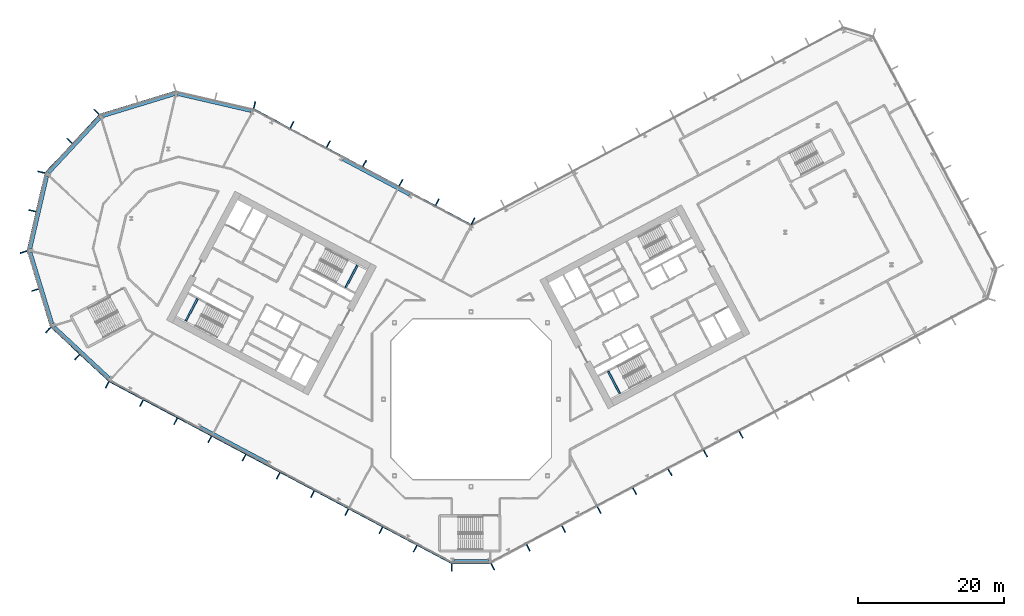
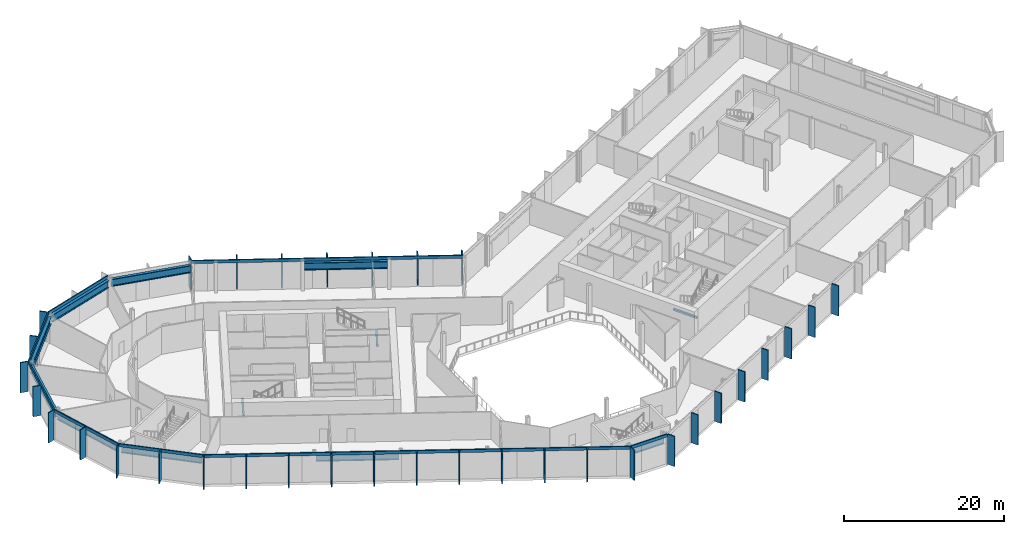
# One storey, part 7 of 30: 42 members, 12 beams, 10 elements without a shape of their own.
"""IFC4 building model written with IfcOpenShell, lengths in metres."""

from ifc_helpers import new_model, si_unit, direction, frame, origin, origin_2d, place, context, subcontext, project, spatial, rectangle, i_section, extrude, material, layer, layer_set, material_profile, profile_set, type_object, element, aggregate, save


model = new_model("IFC4")

# Units and contexts
model_context = context("Model", 3, precision=1e-05, world=origin(), true_north=direction((0.0, 1.0)))
body_context = subcontext(model_context, "Body", "Model", "MODEL_VIEW")
ifc_project = project(units=[si_unit("LENGTHUNIT", "METRE"), si_unit("AREAUNIT", "SQUARE_METRE"), si_unit("VOLUMEUNIT", "CUBIC_METRE"), si_unit("PLANEANGLEUNIT", "RADIAN"), si_unit("MASSUNIT", "GRAM", prefix="KILO")], contexts=[model_context])

# Site, building, storey
site_placement = place(None, origin())
site = spatial("IfcSite", under=ifc_project, at=site_placement, CompositionType="ELEMENT")
building_placement = place(site_placement, origin())
building = spatial("IfcBuilding", under=site, at=building_placement, Name="Cormorant Relay Tower", CompositionType="ELEMENT")
storey_placement = place(building_placement, frame((0.0, 0.0, 80.0)))
storey = spatial("IfcBuildingStorey", under=building, at=storey_placement, Name="L15", CompositionType="ELEMENT", Elevation=80.0)

# Curtain wall, member
ifc_material_1 = material(Name="Aluminium 6063-T6 anodised bronze", Category="aluminium")
ifc_layer = layer(ifc_material_1, 0.199951171875)
ifc_layer_set = layer_set([ifc_layer], Name="CW1 unitised bronze curtain wall with vertical fins")
curtain_wall_type = type_object("IfcCurtainWallType", Name="CW1 unitised bronze curtain wall with vertical fins", PredefinedType="NOTDEFINED", material=ifc_layer_set)
curtain_wall_1_placement = place(storey_placement, origin())
curtain_wall_1 = element("IfcCurtainWall", 1, at=curtain_wall_1_placement, inside=storey, type_object=curtain_wall_type, Name="CW1 curtain wall 1", PredefinedType="NOTDEFINED")
ifc_material_2 = material(Name="Aluminium 6063-T6 anodised bronze", Category="aluminium")
ifc_material_profile_1 = material_profile(ifc_material_2, rectangle(XDim=0.14990234375, YDim=1.0, at=origin_2d()), Name="AL 150x1000")
ifc_profile_set_1 = profile_set([ifc_material_profile_1], Name="Aluminium 6063-T6 anodised bronze")
member_type_1 = type_object("IfcMemberType", Name="CW1 bronze fin mullion 150 x 1000", PredefinedType="MULLION", material=ifc_profile_set_1)
member_1_placement = place(storey_placement, frame((-2.648681640625, -23.07568359375, 0.0), z_axis=(0.0, 0.0, 1.0), x_axis=(1.0, 0.0, 0.0)))
member_1 = element("IfcMember", 2, at=member_1_placement, type_object=member_type_1, Name="CW1 fin 1.1", PredefinedType="MULLION", context=body_context, shape_type="SweptSolid", body=[
    extrude(rectangle(XDim=0.14990234375, YDim=1.0, at=origin_2d()), origin(), (0.0, 0.0, 1.0), 4.60009765625),
])

# Curtain wall, members
curtain_wall_2_placement = place(storey_placement, origin())
curtain_wall_2 = element("IfcCurtainWall", 3, at=curtain_wall_2_placement, inside=storey, type_object=curtain_wall_type, Name="CW1 curtain wall 2", PredefinedType="NOTDEFINED")
member_2_placement = place(storey_placement, frame((2.9775390625, -22.99365234375, 0.0), z_axis=(0.0, 0.0, 1.0), x_axis=(0.882947592859, 0.469471562786, 0.0)))
member_2 = element("IfcMember", 4, at=member_2_placement, type_object=member_type_1, Name="CW1 fin 2.1", PredefinedType="MULLION", context=body_context, shape_type="SweptSolid", body=[
    extrude(rectangle(XDim=0.14990234375, YDim=1.0, at=origin_2d()), origin(), (0.0, 0.0, 1.0), 4.60009765625),
])
member_3_placement = place(storey_placement, frame((7.843994140625, -20.406005859375, 0.0), z_axis=(0.0, 0.0, 1.0), x_axis=(0.882947592859, 0.469471562786, 0.0)))
member_3 = element("IfcMember", 5, at=member_3_placement, type_object=member_type_1, Name="CW1 fin 2.2", PredefinedType="MULLION", context=body_context, shape_type="SweptSolid", body=[
    extrude(rectangle(XDim=0.14990234375, YDim=1.0, at=origin_2d()), origin(), (0.0, 0.0, 1.0), 4.60009765625),
])
member_4_placement = place(storey_placement, frame((12.710693359375, -17.818359375, 0.0), z_axis=(0.0, 0.0, 1.0), x_axis=(0.882947592859, 0.469471562786, 0.0)))
member_4 = element("IfcMember", 6, at=member_4_placement, type_object=member_type_1, Name="CW1 fin 2.3", PredefinedType="MULLION", context=body_context, shape_type="SweptSolid", body=[
    extrude(rectangle(XDim=0.14990234375, YDim=1.0, at=origin_2d()), origin(), (0.0, 0.0, 1.0), 4.60009765625),
])
member_5_placement = place(storey_placement, frame((17.577392578125, -15.230712890625, 0.0), z_axis=(0.0, 0.0, 1.0), x_axis=(0.882947592859, 0.469471562786, 0.0)))
member_5 = element("IfcMember", 7, at=member_5_placement, type_object=member_type_1, Name="CW1 fin 2.4", PredefinedType="MULLION", context=body_context, shape_type="SweptSolid", body=[
    extrude(rectangle(XDim=0.14990234375, YDim=1.0, at=origin_2d()), origin(), (0.0, 0.0, 1.0), 4.60009765625),
])
member_6_placement = place(storey_placement, frame((22.444091796875, -12.64306640625, 0.0), z_axis=(0.0, 0.0, 1.0), x_axis=(0.882947592859, 0.469471562786, 0.0)))
member_6 = element("IfcMember", 8, at=member_6_placement, type_object=member_type_1, Name="CW1 fin 2.5", PredefinedType="MULLION", context=body_context, shape_type="SweptSolid", body=[
    extrude(rectangle(XDim=0.14990234375, YDim=1.0, at=origin_2d()), origin(), (0.0, 0.0, 1.0), 4.60009765625),
])
member_7_placement = place(storey_placement, frame((27.310791015625, -10.055419921875, 0.0), z_axis=(0.0, 0.0, 1.0), x_axis=(0.882947592859, 0.469471562786, 0.0)))
member_7 = element("IfcMember", 9, at=member_7_placement, type_object=member_type_1, Name="CW1 fin 2.6", PredefinedType="MULLION", context=body_context, shape_type="SweptSolid", body=[
    extrude(rectangle(XDim=0.14990234375, YDim=1.0, at=origin_2d()), origin(), (0.0, 0.0, 1.0), 4.60009765625),
])
member_8_placement = place(storey_placement, frame((32.177490234375, -7.4677734375, 0.0), z_axis=(0.0, 0.0, 1.0), x_axis=(0.882947592859, 0.469471562786, 0.0)))
member_8 = element("IfcMember", 10, at=member_8_placement, type_object=member_type_1, Name="CW1 fin 2.7", PredefinedType="MULLION", context=body_context, shape_type="SweptSolid", body=[
    extrude(rectangle(XDim=0.14990234375, YDim=1.0, at=origin_2d()), origin(), (0.0, 0.0, 1.0), 4.60009765625),
])
member_9_placement = place(storey_placement, frame((37.044189453125, -4.8798828125, 0.0), z_axis=(0.0, 0.0, 1.0), x_axis=(0.882947592859, 0.469471562786, 0.0)))
member_9 = element("IfcMember", 11, at=member_9_placement, type_object=member_type_1, Name="CW1 fin 2.8", PredefinedType="MULLION", context=body_context, shape_type="SweptSolid", body=[
    extrude(rectangle(XDim=0.14990234375, YDim=1.0, at=origin_2d()), origin(), (0.0, 0.0, 1.0), 4.60009765625),
])
aggregate(curtain_wall_2, [member_2, member_3, member_4, member_5, member_6, member_7, member_8, member_9])

curtain_wall_3_placement = place(storey_placement, origin())
curtain_wall_3 = element("IfcCurtainWall", 12, at=curtain_wall_3_placement, inside=storey, type_object=curtain_wall_type, Name="CW1 curtain wall 7", PredefinedType="NOTDEFINED")
member_10_placement = place(storey_placement, frame((0.262451171875, 24.437255859375, 0.0), z_axis=(0.0, 0.0, 1.0), x_axis=(-0.882947592859, 0.469471562786, 0.0)))
member_10 = element("IfcMember", 13, at=member_10_placement, type_object=member_type_1, Name="CW1 fin 7.1", PredefinedType="MULLION", context=body_context, shape_type="SweptSolid", body=[
    extrude(rectangle(XDim=0.14990234375, YDim=1.0, at=origin_2d()), origin(), (0.0, 0.0, 1.0), 4.60009765625),
])
member_11_placement = place(storey_placement, frame((-4.650390625, 27.04931640625, 0.0), z_axis=(0.0, 0.0, 1.0), x_axis=(-0.882947592859, 0.469471562786, 0.0)))
member_11 = element("IfcMember", 14, at=member_11_placement, type_object=member_type_1, Name="CW1 fin 7.2", PredefinedType="MULLION", context=body_context, shape_type="SweptSolid", body=[
    extrude(rectangle(XDim=0.14990234375, YDim=1.0, at=origin_2d()), origin(), (0.0, 0.0, 1.0), 4.60009765625),
])
member_12_placement = place(storey_placement, frame((-9.62939453125, 29.69677734375, 0.0), z_axis=(0.0, 0.0, 1.0), x_axis=(-0.882947592859, 0.469471562786, 0.0)))
member_12 = element("IfcMember", 15, at=member_12_placement, type_object=member_type_1, Name="CW1 fin 7.3", PredefinedType="MULLION", context=body_context, shape_type="SweptSolid", body=[
    extrude(rectangle(XDim=0.14990234375, YDim=1.0, at=origin_2d()), origin(), (0.0, 0.0, 1.0), 4.60009765625),
])
member_13_placement = place(storey_placement, frame((-14.608154296875, 32.343994140625, 0.0), z_axis=(0.0, 0.0, 1.0), x_axis=(-0.882947592859, 0.469471562786, 0.0)))
member_13 = element("IfcMember", 16, at=member_13_placement, type_object=member_type_1, Name="CW1 fin 7.4", PredefinedType="MULLION", context=body_context, shape_type="SweptSolid", body=[
    extrude(rectangle(XDim=0.14990234375, YDim=1.0, at=origin_2d()), origin(), (0.0, 0.0, 1.0), 4.60009765625),
])
member_14_placement = place(storey_placement, frame((-19.587158203125, 34.991455078125, 0.0), z_axis=(0.0, 0.0, 1.0), x_axis=(-0.882947592859, 0.469471562786, 0.0)))
member_14 = element("IfcMember", 17, at=member_14_placement, type_object=member_type_1, Name="CW1 fin 7.5", PredefinedType="MULLION", context=body_context, shape_type="SweptSolid", body=[
    extrude(rectangle(XDim=0.14990234375, YDim=1.0, at=origin_2d()), origin(), (0.0, 0.0, 1.0), 4.60009765625),
])
member_15_placement = place(storey_placement, frame((-24.566162109375, 37.638916015625, 0.0), z_axis=(0.0, 0.0, 1.0), x_axis=(-0.882947592859, 0.469471562786, 0.0)))
member_15 = element("IfcMember", 18, at=member_15_placement, type_object=member_type_1, Name="CW1 fin 7.6", PredefinedType="MULLION", context=body_context, shape_type="SweptSolid", body=[
    extrude(rectangle(XDim=0.14990234375, YDim=1.0, at=origin_2d()), origin(), (0.0, 0.0, 1.0), 4.60009765625),
])

# Curtain wall, member
curtain_wall_4_placement = place(storey_placement, origin())
curtain_wall_4 = element("IfcCurtainWall", 19, at=curtain_wall_4_placement, inside=storey, type_object=curtain_wall_type, Name="CW1 curtain wall 8", PredefinedType="NOTDEFINED")
member_16_placement = place(storey_placement, frame((-29.71630859375, 40.35009765625, 0.0), z_axis=(0.0, 0.0, 1.0), x_axis=(-0.974370064785, 0.224951054344, 0.0)))
member_16 = element("IfcMember", 20, at=member_16_placement, type_object=member_type_1, Name="CW1 fin 8.1", PredefinedType="MULLION", context=body_context, shape_type="SweptSolid", body=[
    extrude(rectangle(XDim=0.14990234375, YDim=1.0, at=origin_2d()), origin(), (0.0, 0.0, 1.0), 4.60009765625),
])
aggregate(curtain_wall_4, [member_16])

# Curtain wall, members
curtain_wall_5_placement = place(storey_placement, origin())
curtain_wall_5 = element("IfcCurtainWall", 21, at=curtain_wall_5_placement, inside=storey, type_object=curtain_wall_type, Name="CW1 curtain wall 10", PredefinedType="NOTDEFINED")
member_17_placement = place(storey_placement, frame((-51.372802734375, 39.41259765625, 0.0), z_axis=(0.0, 0.0, 1.0), x_axis=(-0.681998360062, -0.731353701619, 0.0)))
member_17 = element("IfcMember", 22, at=member_17_placement, type_object=member_type_1, Name="CW1 fin 10.1", PredefinedType="MULLION", context=body_context, shape_type="SweptSolid", body=[
    extrude(rectangle(XDim=0.14990234375, YDim=1.0, at=origin_2d()), origin(), (0.0, 0.0, 1.0), 4.60009765625),
])
member_18_placement = place(storey_placement, frame((-55.07958984375, 35.4375, 0.0), z_axis=(0.0, 0.0, 1.0), x_axis=(-0.681998360062, -0.731353701619, 0.0)))
member_18 = element("IfcMember", 23, at=member_18_placement, type_object=member_type_1, Name="CW1 fin 10.2", PredefinedType="MULLION", context=body_context, shape_type="SweptSolid", body=[
    extrude(rectangle(XDim=0.14990234375, YDim=1.0, at=origin_2d()), origin(), (0.0, 0.0, 1.0), 4.60009765625),
])

curtain_wall_6_placement = place(storey_placement, origin())
curtain_wall_6 = element("IfcCurtainWall", 24, at=curtain_wall_6_placement, inside=storey, type_object=curtain_wall_type, Name="CW1 curtain wall 11", PredefinedType="NOTDEFINED")
member_19_placement = place(storey_placement, frame((-58.95654296875, 31.142578125, 0.0), z_axis=(0.0, 0.0, 1.0), x_axis=(-0.224951054344, -0.974370064785, 0.0)))
member_19 = element("IfcMember", 25, at=member_19_placement, type_object=member_type_1, Name="CW1 fin 11.1", PredefinedType="MULLION", context=body_context, shape_type="SweptSolid", body=[
    extrude(rectangle(XDim=0.14990234375, YDim=1.0, at=origin_2d()), origin(), (0.0, 0.0, 1.0), 4.60009765625),
])
member_20_placement = place(storey_placement, frame((-60.17919921875, 25.8466796875, 0.0), z_axis=(0.0, 0.0, 1.0), x_axis=(-0.224951054344, -0.974370064785, 0.0)))
member_20 = element("IfcMember", 26, at=member_20_placement, type_object=member_type_1, Name="CW1 fin 11.2", PredefinedType="MULLION", context=body_context, shape_type="SweptSolid", body=[
    extrude(rectangle(XDim=0.14990234375, YDim=1.0, at=origin_2d()), origin(), (0.0, 0.0, 1.0), 4.60009765625),
])

curtain_wall_7_placement = place(storey_placement, origin())
curtain_wall_7 = element("IfcCurtainWall", 27, at=curtain_wall_7_placement, inside=storey, type_object=curtain_wall_type, Name="CW1 curtain wall 12", PredefinedType="NOTDEFINED")
member_21_placement = place(storey_placement, frame((-61.389404296875, 20.188720703125, 0.0), z_axis=(0.0, 0.0, 1.0), x_axis=(0.292371704723, -0.956304755963, 0.0)))
member_21 = element("IfcMember", 28, at=member_21_placement, type_object=member_type_1, Name="CW1 fin 12.1", PredefinedType="MULLION", context=body_context, shape_type="SweptSolid", body=[
    extrude(rectangle(XDim=0.14990234375, YDim=1.0, at=origin_2d()), origin(), (0.0, 0.0, 1.0), 4.60009765625),
])
member_22_placement = place(storey_placement, frame((-59.80029296875, 14.990966796875, 0.0), z_axis=(0.0, 0.0, 1.0), x_axis=(0.292371704723, -0.956304755963, 0.0)))
member_22 = element("IfcMember", 29, at=member_22_placement, type_object=member_type_1, Name="CW1 fin 12.2", PredefinedType="MULLION", context=body_context, shape_type="SweptSolid", body=[
    extrude(rectangle(XDim=0.14990234375, YDim=1.0, at=origin_2d()), origin(), (0.0, 0.0, 1.0), 4.60009765625),
])

curtain_wall_8_placement = place(storey_placement, origin())
curtain_wall_8 = element("IfcCurtainWall", 30, at=curtain_wall_8_placement, inside=storey, type_object=curtain_wall_type, Name="CW1 curtain wall 13", PredefinedType="NOTDEFINED")
member_23_placement = place(storey_placement, frame((-58.01904296875, 9.486083984375, 0.0), z_axis=(0.0, 0.0, 1.0), x_axis=(0.731353701619, -0.681998360062, 0.0)))
member_23 = element("IfcMember", 31, at=member_23_placement, type_object=member_type_1, Name="CW1 fin 13.1", PredefinedType="MULLION", context=body_context, shape_type="SweptSolid", body=[
    extrude(rectangle(XDim=0.14990234375, YDim=1.0, at=origin_2d()), origin(), (0.0, 0.0, 1.0), 4.60009765625),
])
member_24_placement = place(storey_placement, frame((-54.0439453125, 5.779296875, 0.0), z_axis=(0.0, 0.0, 1.0), x_axis=(0.731353701619, -0.681998360062, 0.0)))
member_24 = element("IfcMember", 32, at=member_24_placement, type_object=member_type_1, Name="CW1 fin 13.2", PredefinedType="MULLION", context=body_context, shape_type="SweptSolid", body=[
    extrude(rectangle(XDim=0.14990234375, YDim=1.0, at=origin_2d()), origin(), (0.0, 0.0, 1.0), 4.60009765625),
])

curtain_wall_9_placement = place(storey_placement, origin())
curtain_wall_9 = element("IfcCurtainWall", 33, at=curtain_wall_9_placement, inside=storey, type_object=curtain_wall_type, Name="CW1 curtain wall 14", PredefinedType="NOTDEFINED")
member_25_placement = place(storey_placement, frame((-49.920166015625, 1.96630859375, 0.0), z_axis=(0.0, 0.0, 1.0), x_axis=(0.882947592859, -0.469471562786, 0.0)))
member_25 = element("IfcMember", 34, at=member_25_placement, type_object=member_type_1, Name="CW1 fin 14.1", PredefinedType="MULLION", context=body_context, shape_type="SweptSolid", body=[
    extrude(rectangle(XDim=0.14990234375, YDim=1.0, at=origin_2d()), origin(), (0.0, 0.0, 1.0), 4.60009765625),
])
member_26_placement = place(storey_placement, frame((-45.225830078125, -0.52978515625, 0.0), z_axis=(0.0, 0.0, 1.0), x_axis=(0.882947592859, -0.469471562786, 0.0)))
member_26 = element("IfcMember", 35, at=member_26_placement, type_object=member_type_1, Name="CW1 fin 14.2", PredefinedType="MULLION", context=body_context, shape_type="SweptSolid", body=[
    extrude(rectangle(XDim=0.14990234375, YDim=1.0, at=origin_2d()), origin(), (0.0, 0.0, 1.0), 4.60009765625),
])
member_27_placement = place(storey_placement, frame((-40.531494140625, -3.025634765625, 0.0), z_axis=(0.0, 0.0, 1.0), x_axis=(0.882947592859, -0.469471562786, 0.0)))
member_27 = element("IfcMember", 36, at=member_27_placement, type_object=member_type_1, Name="CW1 fin 14.3", PredefinedType="MULLION", context=body_context, shape_type="SweptSolid", body=[
    extrude(rectangle(XDim=0.14990234375, YDim=1.0, at=origin_2d()), origin(), (0.0, 0.0, 1.0), 4.60009765625),
])
member_28_placement = place(storey_placement, frame((-35.83740234375, -5.521728515625, 0.0), z_axis=(0.0, 0.0, 1.0), x_axis=(0.882947592859, -0.469471562786, 0.0)))
member_28 = element("IfcMember", 37, at=member_28_placement, type_object=member_type_1, Name="CW1 fin 14.4", PredefinedType="MULLION", context=body_context, shape_type="SweptSolid", body=[
    extrude(rectangle(XDim=0.14990234375, YDim=1.0, at=origin_2d()), origin(), (0.0, 0.0, 1.0), 4.60009765625),
])
member_29_placement = place(storey_placement, frame((-31.14306640625, -8.017578125, 0.0), z_axis=(0.0, 0.0, 1.0), x_axis=(0.882947592859, -0.469471562786, 0.0)))
member_29 = element("IfcMember", 38, at=member_29_placement, type_object=member_type_1, Name="CW1 fin 14.5", PredefinedType="MULLION", context=body_context, shape_type="SweptSolid", body=[
    extrude(rectangle(XDim=0.14990234375, YDim=1.0, at=origin_2d()), origin(), (0.0, 0.0, 1.0), 4.60009765625),
])
member_30_placement = place(storey_placement, frame((-26.44873046875, -10.513671875, 0.0), z_axis=(0.0, 0.0, 1.0), x_axis=(0.882947592859, -0.469471562786, 0.0)))
member_30 = element("IfcMember", 39, at=member_30_placement, type_object=member_type_1, Name="CW1 fin 14.6", PredefinedType="MULLION", context=body_context, shape_type="SweptSolid", body=[
    extrude(rectangle(XDim=0.14990234375, YDim=1.0, at=origin_2d()), origin(), (0.0, 0.0, 1.0), 4.60009765625),
])
member_31_placement = place(storey_placement, frame((-21.754638671875, -13.009765625, 0.0), z_axis=(0.0, 0.0, 1.0), x_axis=(0.882947592859, -0.469471562786, 0.0)))
member_31 = element("IfcMember", 40, at=member_31_placement, type_object=member_type_1, Name="CW1 fin 14.7", PredefinedType="MULLION", context=body_context, shape_type="SweptSolid", body=[
    extrude(rectangle(XDim=0.14990234375, YDim=1.0, at=origin_2d()), origin(), (0.0, 0.0, 1.0), 4.60009765625),
])
member_32_placement = place(storey_placement, frame((-17.060302734375, -15.505615234375, 0.0), z_axis=(0.0, 0.0, 1.0), x_axis=(0.882947592859, -0.469471562786, 0.0)))
member_32 = element("IfcMember", 41, at=member_32_placement, type_object=member_type_1, Name="CW1 fin 14.8", PredefinedType="MULLION", context=body_context, shape_type="SweptSolid", body=[
    extrude(rectangle(XDim=0.14990234375, YDim=1.0, at=origin_2d()), origin(), (0.0, 0.0, 1.0), 4.60009765625),
])
member_33_placement = place(storey_placement, frame((-12.365966796875, -18.001708984375, 0.0), z_axis=(0.0, 0.0, 1.0), x_axis=(0.882947592859, -0.469471562786, 0.0)))
member_33 = element("IfcMember", 42, at=member_33_placement, type_object=member_type_1, Name="CW1 fin 14.9", PredefinedType="MULLION", context=body_context, shape_type="SweptSolid", body=[
    extrude(rectangle(XDim=0.14990234375, YDim=1.0, at=origin_2d()), origin(), (0.0, 0.0, 1.0), 4.60009765625),
])
member_34_placement = place(storey_placement, frame((-7.671630859375, -20.49755859375, 0.0), z_axis=(0.0, 0.0, 1.0), x_axis=(0.882947592859, -0.469471562786, 0.0)))
member_34 = element("IfcMember", 43, at=member_34_placement, type_object=member_type_1, Name="CW1 fin 14.10", PredefinedType="MULLION", context=body_context, shape_type="SweptSolid", body=[
    extrude(rectangle(XDim=0.14990234375, YDim=1.0, at=origin_2d()), origin(), (0.0, 0.0, 1.0), 4.60009765625),
])

# Member
ifc_material_3 = material(Name="Aluminium 6063-T6 anodised bronze", Category="aluminium")
ifc_material_profile_2 = material_profile(ifc_material_3, rectangle(XDim=0.159912109375, YDim=0.449951171875, at=origin_2d()), Name="AL 160x450")
ifc_profile_set_2 = profile_set([ifc_material_profile_2], Name="Aluminium 6063-T6 anodised bronze")
member_type_2 = type_object("IfcMemberType", Name="CW1 bronze transom 160 x 450", PredefinedType="USERDEFINED", material=ifc_profile_set_2)
member_35_placement = place(storey_placement, frame((-2.648681640625, -22.49560546875, 4.375), z_axis=(1.0, 0.0, 0.0), x_axis=(0.0, 1.0, 0.0)))
member_35 = element("IfcMember", 44, at=member_35_placement, type_object=member_type_2, Name="CW1 transom 1", ObjectType="TRANSOM", PredefinedType="USERDEFINED", context=body_context, shape_type="SweptSolid", body=[
    extrude(rectangle(XDim=0.159912109375, YDim=0.449951171875, at=origin_2d()), origin(), (0.0, 0.0, 1.0), 5.29736328125),
])

aggregate(curtain_wall_1, [member_1, member_35])

member_36_placement = place(storey_placement, frame((0.056396484375, 23.889892578125, 4.375), z_axis=(-0.882946280328, 0.46947403129, 0.0), x_axis=(-0.46947403129, -0.882946280328, 0.0)))
member_36 = element("IfcMember", 45, at=member_36_placement, type_object=member_type_2, Name="CW1 transom 7", ObjectType="TRANSOM", PredefinedType="USERDEFINED", context=body_context, shape_type="SweptSolid", body=[
    extrude(rectangle(XDim=0.159912109375, YDim=0.449951171875, at=origin_2d()), origin(), (0.0, 0.0, 1.0), 33.834228515625),
])

aggregate(curtain_wall_3, [member_10, member_11, member_12, member_13, member_14, member_15, member_36])

# Curtain wall, member
curtain_wall_10_placement = place(storey_placement, origin())
curtain_wall_10 = element("IfcCurtainWall", 46, at=curtain_wall_10_placement, inside=storey, type_object=curtain_wall_type, Name="CW1 curtain wall 9", PredefinedType="NOTDEFINED")
member_37_placement = place(storey_placement, frame((-40.50048828125, 42.228271484375, 4.375), z_axis=(-0.956304833932, -0.292371449698, 0.0), x_axis=(0.292371449698, -0.956304833932, 0.0)))
member_37 = element("IfcMember", 47, at=member_37_placement, type_object=member_type_2, Name="CW1 transom 9", ObjectType="TRANSOM", PredefinedType="USERDEFINED", context=body_context, shape_type="SweptSolid", body=[
    extrude(rectangle(XDim=0.159912109375, YDim=0.449951171875, at=origin_2d()), origin(), (0.0, 0.0, 1.0), 10.87060546875),
])
aggregate(curtain_wall_10, [member_37])

# Member
member_38_placement = place(storey_placement, frame((-50.94873046875, 39.01708984375, 4.375), z_axis=(-0.681993299437, -0.731358420696, 0.0), x_axis=(0.731358420696, -0.681993299437, 0.0)))
member_38 = element("IfcMember", 48, at=member_38_placement, type_object=member_type_2, Name="CW1 transom 10", ObjectType="TRANSOM", PredefinedType="USERDEFINED", context=body_context, shape_type="SweptSolid", body=[
    extrude(rectangle(XDim=0.159912109375, YDim=0.449951171875, at=origin_2d()), origin(), (0.0, 0.0, 1.0), 10.870361328125),
])

aggregate(curtain_wall_5, [member_17, member_18, member_38])

member_39_placement = place(storey_placement, frame((-58.3916015625, 31.01220703125, 4.375), z_axis=(-0.22495136131, -0.974369993916, 0.0), x_axis=(0.974369993916, -0.22495136131, 0.0)))
member_39 = element("IfcMember", 49, at=member_39_placement, type_object=member_type_2, Name="CW1 transom 11", ObjectType="TRANSOM", PredefinedType="USERDEFINED", context=body_context, shape_type="SweptSolid", body=[
    extrude(rectangle(XDim=0.159912109375, YDim=0.449951171875, at=origin_2d()), origin(), (0.0, 0.0, 1.0), 10.870361328125),
])

aggregate(curtain_wall_6, [member_19, member_20, member_39])

member_40_placement = place(storey_placement, frame((-60.834716796875, 20.358154296875, 4.375), z_axis=(0.292377729282, -0.95630291405, 0.0), x_axis=(0.95630291405, 0.292377729282, 0.0)))
member_40 = element("IfcMember", 50, at=member_40_placement, type_object=member_type_2, Name="CW1 transom 12", ObjectType="TRANSOM", PredefinedType="USERDEFINED", context=body_context, shape_type="SweptSolid", body=[
    extrude(rectangle(XDim=0.159912109375, YDim=0.449951171875, at=origin_2d()), origin(), (0.0, 0.0, 1.0), 10.870361328125),
])

aggregate(curtain_wall_7, [member_21, member_22, member_40])

member_41_placement = place(storey_placement, frame((-57.62353515625, 9.91015625, 4.375), z_axis=(0.731358420696, -0.681993299437, 0.0), x_axis=(0.681993299437, 0.731358420696, 0.0)))
member_41 = element("IfcMember", 51, at=member_41_placement, type_object=member_type_2, Name="CW1 transom 13", ObjectType="TRANSOM", PredefinedType="USERDEFINED", context=body_context, shape_type="SweptSolid", body=[
    extrude(rectangle(XDim=0.159912109375, YDim=0.449951171875, at=origin_2d()), origin(), (0.0, 0.0, 1.0), 10.870361328125),
])

aggregate(curtain_wall_8, [member_23, member_24, member_41])

member_42_placement = place(storey_placement, frame((-49.64794921875, 2.478515625, 4.375), z_axis=(0.882947642542, -0.469471469346, 0.0), x_axis=(0.469471469346, 0.882947642542, 0.0)))
member_42 = element("IfcMember", 52, at=member_42_placement, type_object=member_type_2, Name="CW1 transom 14", ObjectType="TRANSOM", PredefinedType="USERDEFINED", context=body_context, shape_type="SweptSolid", body=[
    extrude(rectangle(XDim=0.159912109375, YDim=0.449951171875, at=origin_2d()), origin(), (0.0, 0.0, 1.0), 53.166015625),
])

aggregate(curtain_wall_9, [member_25, member_26, member_27, member_28, member_29, member_30, member_31, member_32, member_33, member_34, member_42])

# Beams
ifc_material_4 = material(Name="Steel ASTM A992 (Fy 345 MPa)", Category="steel")
ifc_material_profile_3 = material_profile(ifc_material_4, i_section(OverallWidth=0.40380859375, OverallDepth=1.11767578125, WebThickness=0.026123046875, FlangeThickness=0.044921875, FilletRadius=0.02001953125, at=origin_2d()), Name="W1100x499")
ifc_profile_set_3 = profile_set([ifc_material_profile_3], Name="Steel ASTM A992 (Fy 345 MPa)")
beam_type_1 = type_object("IfcBeamType", Name="Spandrel W1100x499", PredefinedType="SPANDREL", material=ifc_profile_set_3)
beam_1_placement = place(storey_placement, frame((-2.3486328125, -22.173583984375, 3.64111328125), z_axis=(1.0, 0.0, 0.0), x_axis=(0.0, 1.0, 0.0)))
element("IfcBeam", 53, at=beam_1_placement, inside=storey, type_object=beam_type_1, Name="Spandrel beam L15-001", PredefinedType="SPANDREL", context=body_context, shape_type="SweptSolid", body=[
    extrude(i_section(OverallWidth=0.40380859375, OverallDepth=1.11767578125, WebThickness=0.026123046875, FlangeThickness=0.044921875, FilletRadius=0.02001953125, at=origin_2d()), origin(), (0.0, 0.0, 1.0), 4.736083984375),
])
beam_2_placement = place(storey_placement, frame((-8.435302734375, 28.040283203125, 3.64111328125), z_axis=(-0.882946891921, 0.469472881056, 0.0), x_axis=(-0.469472881056, -0.882946891921, 0.0)))
element("IfcBeam", 54, at=beam_2_placement, inside=storey, type_object=beam_type_1, Name="Spandrel beam L15-007", PredefinedType="SPANDREL", context=body_context, shape_type="SweptSolid", body=[
    extrude(i_section(OverallWidth=0.40380859375, OverallDepth=1.11767578125, WebThickness=0.026123046875, FlangeThickness=0.044921875, FilletRadius=0.02001953125, at=origin_2d()), origin(), (0.0, 0.0, 1.0), 10.376220703125),
])
beam_3_placement = place(storey_placement, frame((-30.171142578125, 39.529541015625, 3.64111328125), z_axis=(-0.974368523335, 0.224957730996, 0.0), x_axis=(-0.224957730996, -0.974368523335, 0.0)))
element("IfcBeam", 55, at=beam_3_placement, inside=storey, type_object=beam_type_1, Name="Spandrel beam L15-008", PredefinedType="SPANDREL", context=body_context, shape_type="SweptSolid", body=[
    extrude(i_section(OverallWidth=0.40380859375, OverallDepth=1.11767578125, WebThickness=0.026123046875, FlangeThickness=0.044921875, FilletRadius=0.02001953125, at=origin_2d()), origin(), (0.0, 0.0, 1.0), 10.346923828125),
])
beam_4_placement = place(storey_placement, frame((-40.70166015625, 41.830078125, 3.64111328125), z_axis=(-0.956304442866, -0.292372728814, 0.0), x_axis=(0.292372728814, -0.956304442866, 0.0)))
element("IfcBeam", 56, at=beam_4_placement, inside=storey, type_object=beam_type_1, Name="Spandrel beam L15-009", PredefinedType="SPANDREL", context=body_context, shape_type="SweptSolid", body=[
    extrude(i_section(OverallWidth=0.40380859375, OverallDepth=1.11767578125, WebThickness=0.026123046875, FlangeThickness=0.044921875, FilletRadius=0.02001953125, at=origin_2d()), origin(), (0.0, 0.0, 1.0), 10.297607421875),
])
for number, where, z_axis, x_axis, name in (
    (57, (-50.924072265625, 38.571533203125, 3.64111328125), (-0.681993790146, -0.731357963108, 0.0), (0.731357963108, -0.681993790146, 0.0), "Spandrel beam L15-010"),
    (58, (-58.147216796875, 30.638671875, 3.64111328125), (-0.224939161738, -0.974372810333, 0.0), (0.974372810333, -0.224939161738, 0.0), "Spandrel beam L15-011"),
):
    element("IfcBeam", number, at=place(storey_placement, frame(where, z_axis=z_axis, x_axis=x_axis)), inside=storey, type_object=beam_type_1, Name=name, PredefinedType="SPANDREL", context=body_context, shape_type="SweptSolid", body=[
        extrude(i_section(OverallWidth=0.40380859375, OverallDepth=1.11767578125, WebThickness=0.026123046875, FlangeThickness=0.044921875, FilletRadius=0.02001953125, at=origin_2d()), origin(), (0.0, 0.0, 1.0), 10.296875),
    ])
beam_5_placement = place(storey_placement, frame((-60.4365234375, 20.1572265625, 3.64111328125), z_axis=(0.292372728814, -0.956304442866, 0.0), x_axis=(0.956304442866, 0.292372728814, 0.0)))
element("IfcBeam", 59, at=beam_5_placement, inside=storey, type_object=beam_type_1, Name="Spandrel beam L15-012", PredefinedType="SPANDREL", context=body_context, shape_type="SweptSolid", body=[
    extrude(i_section(OverallWidth=0.40380859375, OverallDepth=1.11767578125, WebThickness=0.026123046875, FlangeThickness=0.044921875, FilletRadius=0.02001953125, at=origin_2d()), origin(), (0.0, 0.0, 1.0), 10.297607421875),
])
beam_6_placement = place(storey_placement, frame((-57.177734375, 9.934814453125, 3.64111328125), z_axis=(0.731345431457, -0.682007228617, 0.0), x_axis=(0.682007228617, 0.731345431457, 0.0)))
element("IfcBeam", 60, at=beam_6_placement, inside=storey, type_object=beam_type_1, Name="Spandrel beam L15-013", PredefinedType="SPANDREL", context=body_context, shape_type="SweptSolid", body=[
    extrude(i_section(OverallWidth=0.40380859375, OverallDepth=1.11767578125, WebThickness=0.026123046875, FlangeThickness=0.044921875, FilletRadius=0.02001953125, at=origin_2d()), origin(), (0.0, 0.0, 1.0), 10.322265625),
])
beam_7_placement = place(storey_placement, frame((-37.124755859375, -3.815673828125, 3.64111328125), z_axis=(0.882946891921, -0.469472881056, 0.0), x_axis=(0.469472881056, 0.882946891921, 0.0)))
element("IfcBeam", 61, at=beam_7_placement, inside=storey, type_object=beam_type_1, Name="Spandrel beam L15-014", PredefinedType="SPANDREL", context=body_context, shape_type="SweptSolid", body=[
    extrude(i_section(OverallWidth=0.40380859375, OverallDepth=1.11767578125, WebThickness=0.026123046875, FlangeThickness=0.044921875, FilletRadius=0.02001953125, at=origin_2d()), origin(), (0.0, 0.0, 1.0), 10.376220703125),
])
ifc_material_5 = material(Name="Concrete 50 MPa", Category="concrete")
ifc_material_profile_4 = material_profile(ifc_material_5, rectangle(XDim=0.25, YDim=0.300048828125, at=origin_2d()), Name="RC 250x300")
ifc_profile_set_4 = profile_set([ifc_material_profile_4], Name="Concrete 50 MPa")
beam_type_2 = type_object("IfcBeamType", Name="Stair landing ledge beam 250x300", PredefinedType="BEAM", material=ifc_profile_set_4)
beam_8_placement = place(storey_placement, frame((-17.215087890625, 15.325927734375, 1.949951171875), z_axis=(0.469519084434, 0.88292232351, 0.0), x_axis=(-0.88292232351, 0.469519084434, 0.0)))
element("IfcBeam", 62, at=beam_8_placement, inside=storey, type_object=beam_type_2, Name="A1 landing ledge beam", PredefinedType="BEAM", context=body_context, shape_type="SweptSolid", body=[
    extrude(rectangle(XDim=0.25, YDim=0.300048828125, at=origin_2d()), origin(), (0.0, 0.0, 1.0), 3.449951171875),
])
for number, where, z_axis, x_axis, name in (
    (63, (-37.52783203125, 13.781494140625, 1.949951171875), (-0.469434585424, -0.882967253078, 0.0), (0.882967253078, -0.469434585424, 0.0), "A2 landing ledge beam"),
    (64, (18.80029296875, 3.823974609375, 1.949951171875), (0.469489750874, -0.88293792184, 0.0), (0.88293792184, 0.469489750874, 0.0), "B1 landing ledge beam"),
):
    element("IfcBeam", number, at=place(storey_placement, frame(where, z_axis=z_axis, x_axis=x_axis)), inside=storey, type_object=beam_type_2, Name=name, PredefinedType="BEAM", context=body_context, shape_type="SweptSolid", body=[
        extrude(rectangle(XDim=0.25, YDim=0.300048828125, at=origin_2d()), origin(), (0.0, 0.0, 1.0), 3.4501953125),
    ])

save(model, "model.ifc")
